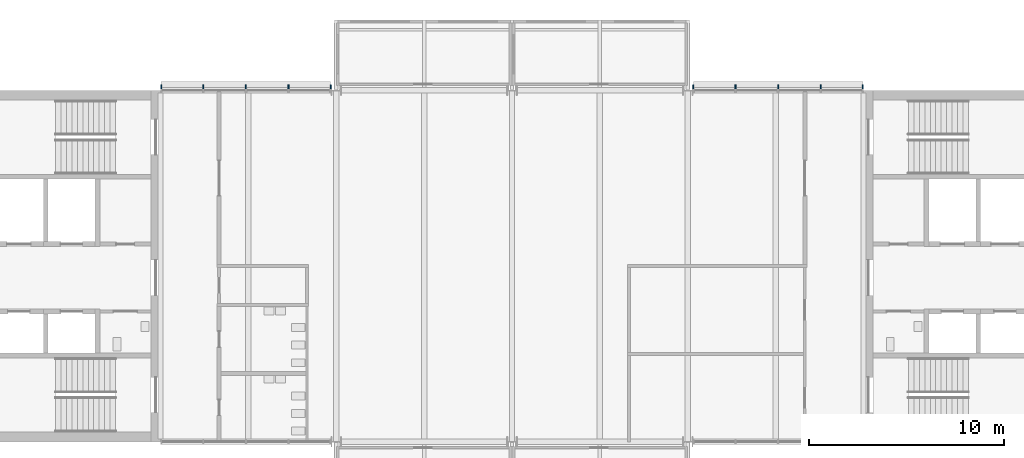
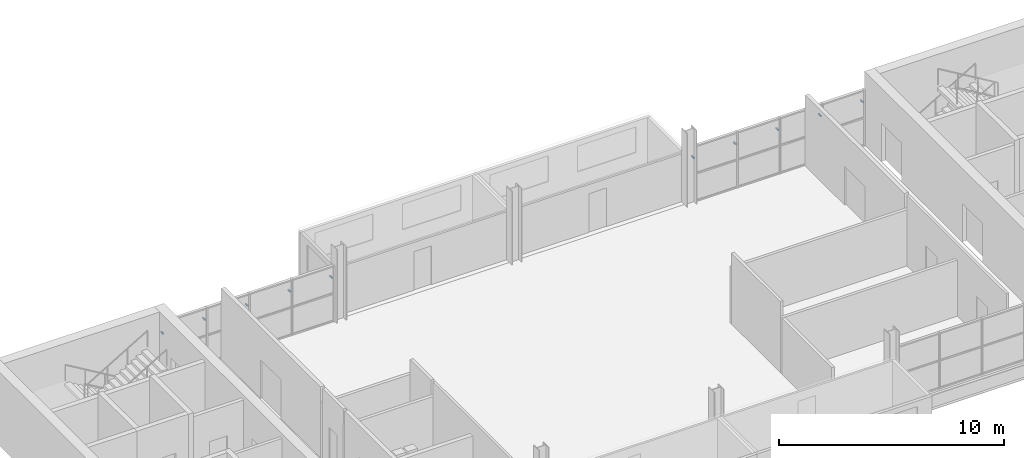
# One storey, part 8 of 10: 10 discrete accessories.
"""IFC4 building model written with IfcOpenShell, lengths in metres."""

from ifc_helpers import new_model, si_unit, direction, frame, origin, origin_2d, place, context, subcontext, project, spatial, rectangle, extrude, material, type_object, element, save


model = new_model("IFC4")

# Units and contexts
model_context = context("Model", 3, precision=1e-05, world=origin(), true_north=direction((0.0, 1.0)))
body_context = subcontext(model_context, "Body", "Model", "MODEL_VIEW")
ifc_project = project(units=[si_unit("LENGTHUNIT", "METRE"), si_unit("AREAUNIT", "SQUARE_METRE"), si_unit("VOLUMEUNIT", "CUBIC_METRE"), si_unit("PLANEANGLEUNIT", "RADIAN"), si_unit("MASSUNIT", "GRAM", prefix="KILO")], contexts=[model_context])

# Site, building, storey
site_placement = place(None, origin())
site = spatial("IfcSite", under=ifc_project, at=site_placement, CompositionType="ELEMENT")
building_placement = place(site_placement, origin())
building = spatial("IfcBuilding", under=site, at=building_placement, Name="Corbel Yard City Hall", CompositionType="ELEMENT")
storey_placement = place(building_placement, frame((0.0, 0.0, 19.199951171875)))
storey = spatial("IfcBuildingStorey", under=building, at=storey_placement, Name="L04", CompositionType="ELEMENT", Elevation=19.199951171875)

# Discrete accessories
ifc_material = material(Name="Steel Grade 300 (300 MPa yield)", Category="steel")
discrete_accessory_type = type_object("IfcDiscreteAccessoryType", Name="BK1", PredefinedType="BRACKET", material=ifc_material)
for number, where, z_axis, x_axis, name in (
    (1, (9.032470703125, 117.18994140625, 2.25), (0.0, 0.0, 1.0), (1.0, 0.0, 0.0), "Louvre bracket"),
    (2, (11.185791015625, 117.18994140625, 2.25), (0.0, 0.0, 1.0), (1.0, 0.0, 0.0), "Louvre bracket"),
    (3, (13.37158203125, 117.18994140625, 2.25), (0.0, 0.0, 1.0), (1.0, 0.0, 0.0), "Louvre bracket"),
    (4, (15.55712890625, 117.18994140625, 2.25), (0.0, 0.0, 1.0), (1.0, 0.0, 0.0), "Louvre bracket"),
    (5, (17.71044921875, 117.18994140625, 2.25), (0.0, 0.0, 1.0), (1.0, 0.0, 0.0), "Louvre bracket"),
    (6, (36.28955078125, 117.18994140625, 2.25), (0.0, 0.0, 1.0), (1.0, 0.0, 0.0), "Louvre bracket"),
    (7, (38.44287109375, 117.18994140625, 2.25), (0.0, 0.0, 1.0), (1.0, 0.0, 0.0), "Louvre bracket"),
    (8, (40.62841796875, 117.18994140625, 2.25), (0.0, 0.0, 1.0), (1.0, 0.0, 0.0), "Louvre bracket"),
    (9, (42.814208984375, 117.18994140625, 2.25), (0.0, 0.0, 1.0), (1.0, 0.0, 0.0), "Louvre bracket"),
    (10, (44.967529296875, 117.18994140625, 2.25), (0.0, 0.0, 1.0), (1.0, 0.0, 0.0), "Louvre bracket"),
):
    element("IfcDiscreteAccessory", number, at=place(storey_placement, frame(where, z_axis=z_axis, x_axis=x_axis)), inside=storey, type_object=discrete_accessory_type, Name=name, PredefinedType="BRACKET", context=body_context, shape_type="SweptSolid", body=[
        extrude(rectangle(XDim=0.06005859375, YDim=0.199951171875, at=origin_2d()), origin(), (0.0, 0.0, 1.0), 0.06005859375),
    ])

save(model, "model.ifc")
